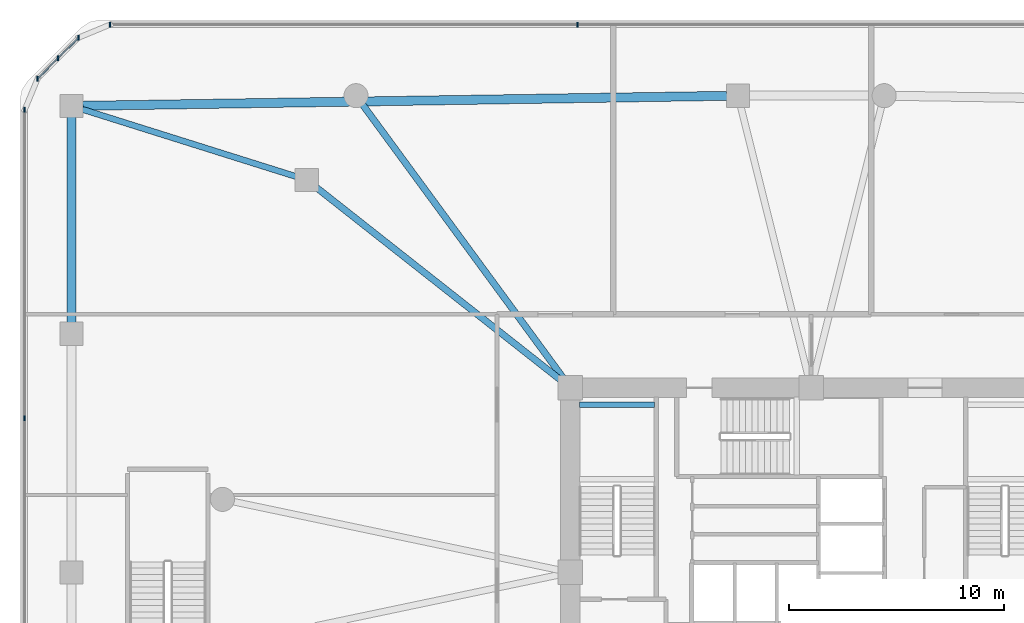
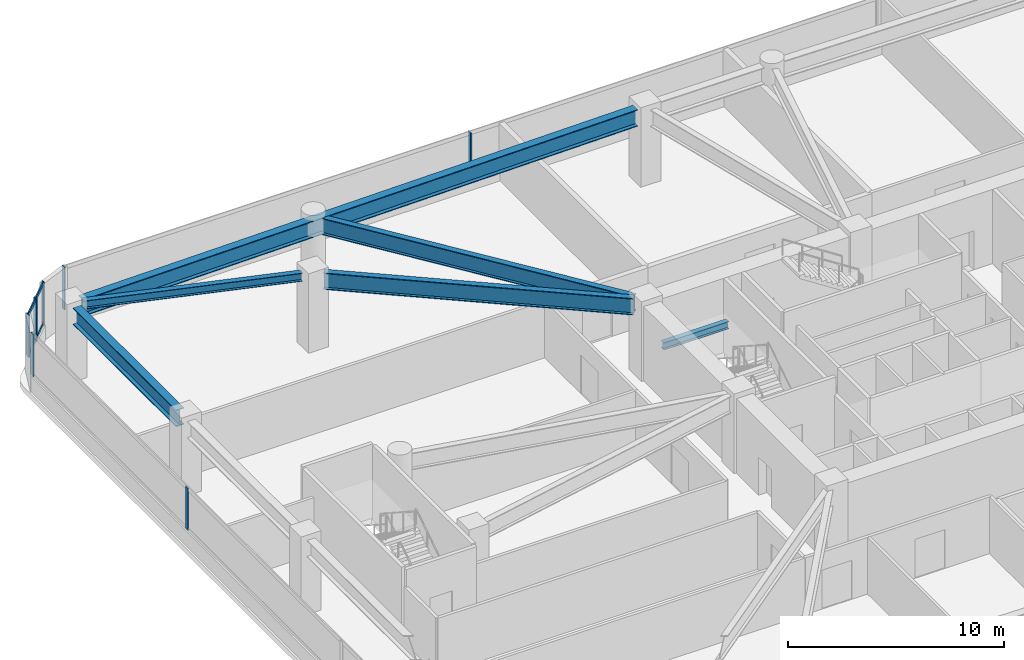
# One storey, part 6 of 21: 9 members, 6 beams, 3 elements without a shape of their own.
"""IFC4 building model written with IfcOpenShell, lengths in metres."""

from ifc_helpers import new_model, si_unit, derived_unit, direction, frame, origin, origin_2d, place, context, subcontext, project, spatial, rectangle, i_section, extrude, material, material_profile, profile_set, type_object, element, aggregate, save


model = new_model("IFC4")

# Units and contexts
model_context = context("Model", 3, precision=1e-05, world=origin(), true_north=direction((0.0, 1.0)))
body_context = subcontext(model_context, "Body", "Model", "MODEL_VIEW")
ifc_project = project(units=[si_unit("LENGTHUNIT", "METRE"), si_unit("AREAUNIT", "SQUARE_METRE"), si_unit("VOLUMEUNIT", "CUBIC_METRE"), si_unit("PLANEANGLEUNIT", "RADIAN"), si_unit("MASSUNIT", "GRAM", prefix="KILO"), derived_unit("THERMALTRANSMITTANCEUNIT", [(si_unit("POWERUNIT", "WATT"), 1), (si_unit("LENGTHUNIT", "METRE"), -2), (si_unit("THERMODYNAMICTEMPERATUREUNIT", "KELVIN"), -1)])], contexts=[model_context])

# Site, building, storey
site_placement = place(None, origin())
site = spatial("IfcSite", under=ifc_project, at=site_placement, CompositionType="ELEMENT")
building_placement = place(site_placement, origin())
building = spatial("IfcBuilding", under=site, at=building_placement, Name="Koralith Skygarden Medical Center", CompositionType="ELEMENT")
storey_placement = place(building_placement, frame((0.0, 0.0, 9.89990234375)))
storey = spatial("IfcBuildingStorey", under=building, at=storey_placement, Name="L02", CompositionType="ELEMENT", Elevation=9.89990234375)

# Curtain wall, members
ifc_material_1 = material(Name="Clear Laminated Glass", Category="glass")
curtain_wall_type = type_object("IfcCurtainWallType", Name="CW-1 Transit & Podium Acoustic Curtain Wall", PredefinedType="NOTDEFINED", material=ifc_material_1)
curtain_wall_1_placement = place(storey_placement, origin())
curtain_wall_1 = element("IfcCurtainWall", 1, at=curtain_wall_1_placement, inside=storey, type_object=curtain_wall_type, Name="Curtain Wall CW-L02-N", PredefinedType="NOTDEFINED")
ifc_material_2 = material(Name="Aluminium 6063-T6", Category="aluminium")
ifc_material_profile_1 = material_profile(ifc_material_2, rectangle(XDim=0.068115234375, YDim=0.239990234375, at=origin_2d()), Name="MUL68X240")
ifc_profile_set_1 = profile_set([ifc_material_profile_1], Name="Aluminium 6063-T6")
member_type_1 = type_object("IfcMemberType", Name="CW-1 Extruded Mullion 68x240", PredefinedType="MULLION", material=ifc_profile_set_1)
member_1_placement = place(storey_placement, frame((26.1259765625, 51.3798828125, 0.85009765625), z_axis=(0.0, 0.0, 1.0), x_axis=(1.0, 0.0, 0.0)))
member_1 = element("IfcMember", 2, at=member_1_placement, type_object=member_type_1, Name="CW-L02-N Mullion 3", PredefinedType="MULLION", context=body_context, shape_type="SweptSolid", body=[
    extrude(rectangle(XDim=0.068115234375, YDim=0.239990234375, at=origin_2d()), origin(), (0.0, 0.0, 1.0), 2.389892578125),
])
member_2_placement = place(storey_placement, frame((4.37890625, 51.3798828125, 0.85009765625), z_axis=(0.0, 0.0, 1.0), x_axis=(1.0, 0.0, 0.0)))
member_2 = element("IfcMember", 3, at=member_2_placement, type_object=member_type_1, Name="CW-L02-N Mullion 4", PredefinedType="MULLION", context=body_context, shape_type="SweptSolid", body=[
    extrude(rectangle(XDim=0.068115234375, YDim=0.239990234375, at=origin_2d()), origin(), (0.0, 0.0, 1.0), 2.389892578125),
])
aggregate(curtain_wall_1, [member_1, member_2])

curtain_wall_2_placement = place(storey_placement, origin())
curtain_wall_2 = element("IfcCurtainWall", 4, at=curtain_wall_2_placement, inside=storey, type_object=curtain_wall_type, Name="Curtain Wall CW-L02-NW", PredefinedType="NOTDEFINED")
member_3_placement = place(storey_placement, frame((2.927978515625, 50.779052734375, 0.85009765625), z_axis=(0.0, 0.0, 1.0), x_axis=(1.0, 0.0, 0.0)))
member_3 = element("IfcMember", 5, at=member_3_placement, type_object=member_type_1, Name="CW-L02-NW Mullion 1", PredefinedType="MULLION", context=body_context, shape_type="SweptSolid", body=[
    extrude(rectangle(XDim=0.068115234375, YDim=0.239990234375, at=origin_2d()), origin(), (0.0, 0.0, 1.0), 2.389892578125),
])
member_4_placement = place(storey_placement, frame((1.97412109375, 49.825927734375, 0.85009765625), z_axis=(0.0, 0.0, 1.0), x_axis=(1.0, 0.0, 0.0)))
member_4 = element("IfcMember", 6, at=member_4_placement, type_object=member_type_1, Name="CW-L02-NW Mullion 2", PredefinedType="MULLION", context=body_context, shape_type="SweptSolid", body=[
    extrude(rectangle(XDim=0.068115234375, YDim=0.239990234375, at=origin_2d()), origin(), (0.0, 0.0, 1.0), 2.389892578125),
])
member_5_placement = place(storey_placement, frame((1.02099609375, 48.8720703125, 0.85009765625), z_axis=(0.0, 0.0, 1.0), x_axis=(1.0, 0.0, 0.0)))
member_5 = element("IfcMember", 7, at=member_5_placement, type_object=member_type_1, Name="CW-L02-NW Mullion 3", PredefinedType="MULLION", context=body_context, shape_type="SweptSolid", body=[
    extrude(rectangle(XDim=0.068115234375, YDim=0.239990234375, at=origin_2d()), origin(), (0.0, 0.0, 1.0), 2.389892578125),
])

curtain_wall_3_placement = place(storey_placement, origin())
curtain_wall_3 = element("IfcCurtainWall", 8, at=curtain_wall_3_placement, inside=storey, type_object=curtain_wall_type, Name="Curtain Wall CW-L02-W", PredefinedType="NOTDEFINED")
member_6_placement = place(storey_placement, frame((0.419921875, 47.4208984375, 0.85009765625), z_axis=(0.0, 0.0, 1.0), x_axis=(1.0, 0.0, 0.0)))
member_6 = element("IfcMember", 9, at=member_6_placement, type_object=member_type_1, Name="CW-L02-W Mullion 1", PredefinedType="MULLION", context=body_context, shape_type="SweptSolid", body=[
    extrude(rectangle(XDim=0.068115234375, YDim=0.239990234375, at=origin_2d()), origin(), (0.0, 0.0, 1.0), 2.389892578125),
])
member_7_placement = place(storey_placement, frame((0.419921875, 33.073974609375, 0.85009765625), z_axis=(0.0, 0.0, 1.0), x_axis=(1.0, 0.0, 0.0)))
member_7 = element("IfcMember", 10, at=member_7_placement, type_object=member_type_1, Name="CW-L02-W Mullion 2", PredefinedType="MULLION", context=body_context, shape_type="SweptSolid", body=[
    extrude(rectangle(XDim=0.068115234375, YDim=0.239990234375, at=origin_2d()), origin(), (0.0, 0.0, 1.0), 2.389892578125),
])
aggregate(curtain_wall_3, [member_6, member_7])

# Member
ifc_material_profile_2 = material_profile(ifc_material_2, rectangle(XDim=0.06298828125, YDim=0.216064453125, at=origin_2d()), Name="TRN63X216")
ifc_profile_set_2 = profile_set([ifc_material_profile_2], Name="Aluminium 6063-T6")
member_type_2 = type_object("IfcMemberType", Name="CW-1 Thermal Transom 63x216", PredefinedType="USERDEFINED", material=ifc_profile_set_2)
member_8_placement = place(storey_placement, frame((2.927978515625, 50.779052734375, 0.900146484375), z_axis=(-0.707106781187, -0.707106781187, 0.0), x_axis=(0.707106781187, -0.707106781187, 0.0)))
member_8 = element("IfcMember", 11, at=member_8_placement, type_object=member_type_2, Name="CW-L02-NW Transom 1", ObjectType="TRANSOM", PredefinedType="USERDEFINED", context=body_context, shape_type="SweptSolid", body=[
    extrude(rectangle(XDim=0.06298828125, YDim=0.216064453125, at=origin_2d()), origin(), (0.0, 0.0, 1.0), 2.69677734375),
])

member_9_placement = place(storey_placement, frame((2.927978515625, 50.779052734375, 3.190185546875), z_axis=(-0.707106781187, -0.707106781187, 0.0), x_axis=(0.707106781187, -0.707106781187, 0.0)))
member_9 = element("IfcMember", 12, at=member_9_placement, type_object=member_type_2, Name="CW-L02-NW Transom 2", ObjectType="TRANSOM", PredefinedType="USERDEFINED", context=body_context, shape_type="SweptSolid", body=[
    extrude(rectangle(XDim=0.06298828125, YDim=0.216064453125, at=origin_2d()), origin(), (0.0, 0.0, 1.0), 2.69677734375),
])

aggregate(curtain_wall_2, [member_3, member_4, member_5, member_8, member_9])

# Beams
ifc_material_3 = material(Name="Steel ASTM A992 Grade 50", Category="steel")
ifc_material_profile_3 = material_profile(ifc_material_3, i_section(OverallWidth=0.260009765625, OverallDepth=0.4150390625, WebThickness=0.010009765625, FlangeThickness=0.016845703125, at=origin_2d()), Name="W16X67")
ifc_profile_set_3 = profile_set([ifc_material_profile_3], Name="Steel ASTM A992 Grade 50")
beam_type_1 = type_object("IfcBeamType", Name="Clinical Floor Joist W16X67", PredefinedType="JOIST", material=ifc_profile_set_3)
beam_1_placement = place(storey_placement, frame((26.22998046875, 33.699951171875, 1.843017578125), z_axis=(1.0, 0.0, 0.0), x_axis=(0.0, 1.0, 0.0)))
element("IfcBeam", 13, at=beam_1_placement, inside=storey, type_object=beam_type_1, Name="L02 Stair ST1 Half-Landing Support Beam 1B", PredefinedType="JOIST", context=body_context, shape_type="SweptSolid", body=[
    extrude(i_section(OverallWidth=0.260009765625, OverallDepth=0.4150390625, WebThickness=0.010009765625, FlangeThickness=0.016845703125, at=origin_2d()), origin(), (0.0, 0.0, 1.0), 3.489990234375),
])
ifc_material_profile_4 = material_profile(ifc_material_3, i_section(OverallWidth=0.423095703125, OverallDepth=0.947998046875, WebThickness=0.02392578125, FlangeThickness=0.042724609375, at=origin_2d()), Name="W36X302")
ifc_profile_set_4 = profile_set([ifc_material_profile_4], Name="Steel ASTM A992 Grade 50")
beam_type_2 = type_object("IfcBeamType", Name="Podium Concourse Girder W36X302", PredefinedType="BEAM", material=ifc_profile_set_4)
beam_2_placement = place(storey_placement, frame((33.080078125, 48.072021484375, 3.72607421875), z_axis=(-0.999880035237, -0.015489194131, 0.0), x_axis=(0.015489194131, -0.999880035237, 0.0)))
element("IfcBeam", 14, at=beam_2_placement, inside=storey, type_object=beam_type_2, Name="L02 Podium Perimeter Beam PB-11", PredefinedType="BEAM", context=body_context, shape_type="SweptSolid", body=[
    extrude(i_section(OverallWidth=0.423095703125, OverallDepth=0.947998046875, WebThickness=0.02392578125, FlangeThickness=0.042724609375, at=origin_2d()), origin(), (0.0, 0.0, 1.0), 29.963623046875),
])
beam_3_placement = place(storey_placement, frame((2.60009765625, 47.080078125, 3.72607421875), z_axis=(0.0, -1.0, 0.0), x_axis=(1.0, 0.0, 0.0)))
element("IfcBeam", 15, at=beam_3_placement, inside=storey, type_object=beam_type_2, Name="L02 Podium Perimeter Beam PB-12", PredefinedType="BEAM", context=body_context, shape_type="SweptSolid", body=[
    extrude(i_section(OverallWidth=0.423095703125, OverallDepth=0.947998046875, WebThickness=0.02392578125, FlangeThickness=0.042724609375, at=origin_2d()), origin(), (0.0, 0.0, 1.0), 9.56005859375),
])
ifc_material_profile_5 = material_profile(ifc_material_3, i_section(OverallWidth=0.281982421875, OverallDepth=0.467041015625, WebThickness=0.01220703125, FlangeThickness=0.01953125, at=origin_2d()), Name="W18X86")
ifc_profile_set_5 = profile_set([ifc_material_profile_5], Name="Steel ASTM A992 Grade 50")
beam_type_3 = type_object("IfcBeamType", Name="Podium Floor Joist W18X86", PredefinedType="JOIST", material=ifc_profile_set_5)
beam_4_placement = place(storey_placement, frame((13.0439453125, 44.31591796875, 3.967041015625), z_axis=(-0.95394817002, 0.29997148017, 0.0), x_axis=(-0.29997148017, -0.95394817002, 0.0)))
element("IfcBeam", 16, at=beam_4_placement, inside=storey, type_object=beam_type_3, Name="L02 Podium Floor Joist PJ-02", PredefinedType="JOIST", context=body_context, shape_type="SweptSolid", body=[
    extrude(i_section(OverallWidth=0.281982421875, OverallDepth=0.467041015625, WebThickness=0.01220703125, FlangeThickness=0.01953125, at=origin_2d()), origin(), (0.0, 0.0, 1.0), 10.42822265625),
])
ifc_material_profile_6 = material_profile(ifc_material_3, i_section(OverallWidth=0.30810546875, OverallDepth=0.943115234375, WebThickness=0.022216796875, FlangeThickness=0.039794921875, at=origin_2d()), Name="W36X232")
ifc_profile_set_6 = profile_set([ifc_material_profile_6], Name="Steel ASTM A992 Grade 50")
beam_type_4 = type_object("IfcBeamType", Name="Surgical Platform Girder W36X232", PredefinedType="BEAM", material=ifc_profile_set_6)
beam_5_placement = place(storey_placement, frame((25.468994140625, 34.950927734375, 3.72802734375), z_axis=(-0.591712691958, 0.806148925556, 0.0), x_axis=(-0.806148925556, -0.591712691958, 0.0)))
element("IfcBeam", 17, at=beam_5_placement, inside=storey, type_object=beam_type_4, Name="L02 Podium Radial Girder PRG-14", PredefinedType="BEAM", context=body_context, shape_type="SweptSolid", body=[
    extrude(i_section(OverallWidth=0.30810546875, OverallDepth=0.943115234375, WebThickness=0.022216796875, FlangeThickness=0.039794921875, at=origin_2d()), origin(), (0.0, 0.0, 1.0), 15.766357421875),
])
beam_6_placement = place(storey_placement, frame((25.360107421875, 34.846923828125, 3.72802734375), z_axis=(-0.785504791859, 0.618855574401, 0.0), x_axis=(-0.618855574401, -0.785504791859, 0.0)))
element("IfcBeam", 18, at=beam_6_placement, inside=storey, type_object=beam_type_4, Name="L02 Podium Radial Girder PRG-15", PredefinedType="BEAM", context=body_context, shape_type="SweptSolid", body=[
    extrude(i_section(OverallWidth=0.30810546875, OverallDepth=0.943115234375, WebThickness=0.022216796875, FlangeThickness=0.039794921875, at=origin_2d()), origin(), (0.0, 0.0, 1.0), 14.5283203125),
])

save(model, "model.ifc")
